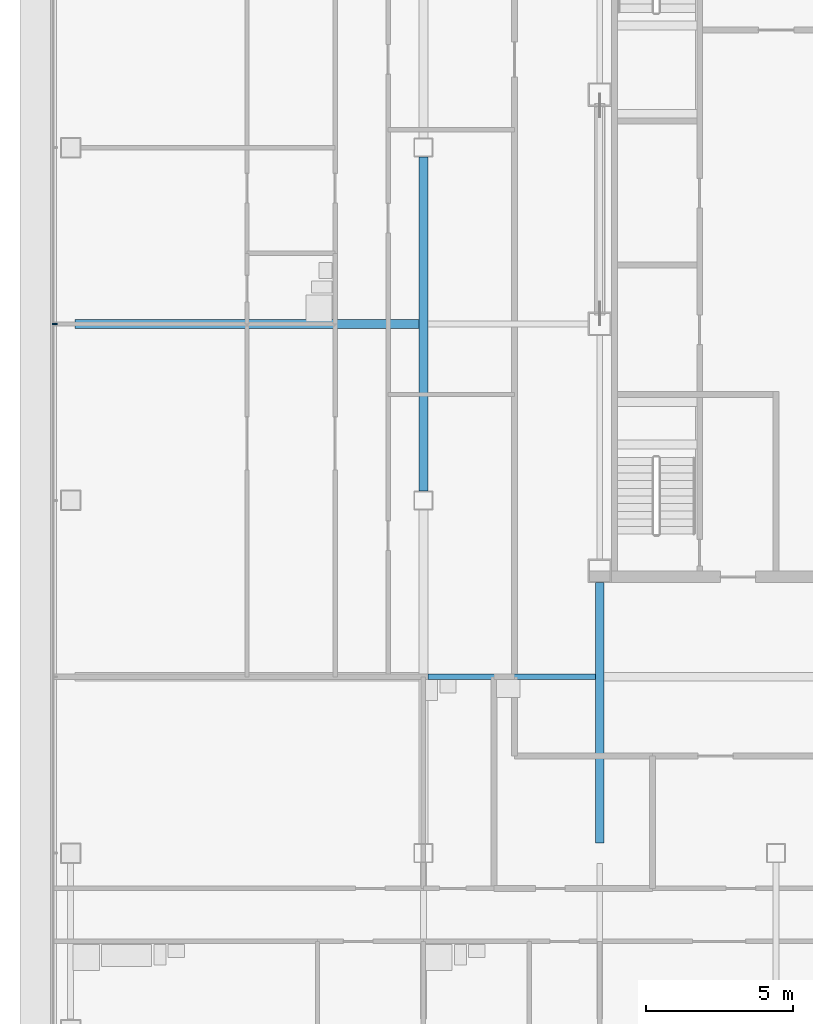
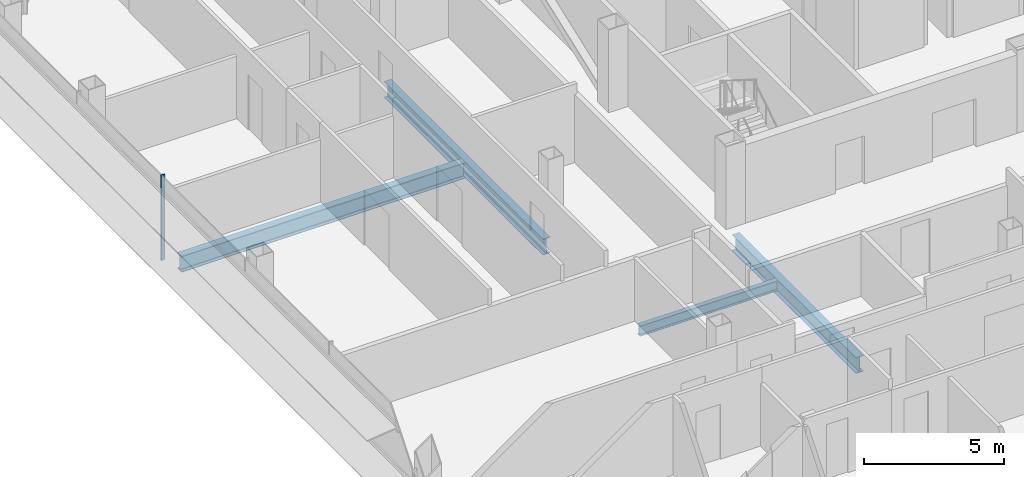
# One storey, part 6 of 27: 4 beams, 1 member, 1 element without a shape of its own.
"""IFC4 building model written with IfcOpenShell, lengths in metres."""

from ifc_helpers import new_model, si_unit, direction, frame, origin, origin_2d, place, context, subcontext, project, spatial, rectangle, i_section, extrude, material, material_profile, profile_set, type_object, element, aggregate, save


model = new_model("IFC4")

# Units and contexts
model_context = context("Model", 3, precision=1e-05, world=origin(), true_north=direction((0.0, 1.0)))
body_context = subcontext(model_context, "Body", "Model", "MODEL_VIEW")
ifc_project = project(units=[si_unit("LENGTHUNIT", "METRE"), si_unit("AREAUNIT", "SQUARE_METRE"), si_unit("VOLUMEUNIT", "CUBIC_METRE"), si_unit("PLANEANGLEUNIT", "RADIAN"), si_unit("MASSUNIT", "GRAM", prefix="KILO")], contexts=[model_context])

# Site, building, storey
site_placement = place(None, origin())
site = spatial("IfcSite", under=ifc_project, at=site_placement, CompositionType="ELEMENT")
building_placement = place(site_placement, origin())
building = spatial("IfcBuilding", under=site, at=building_placement, Name="Sorahane Residences", CompositionType="ELEMENT")
storey_placement = place(building_placement, frame((0.0, 0.0, 192.0)))
storey = spatial("IfcBuildingStorey", under=building, at=storey_placement, Name="L44", CompositionType="ELEMENT", Elevation=192.0)

# Curtain wall, member
ifc_material_1 = material(Name="Dark low-e glass and black anodised aluminium", Category="aluminium")
curtain_wall_type = type_object("IfcCurtainWallType", Name="Curtain wall CW-1 Typical unitised wall", PredefinedType="NOTDEFINED", material=ifc_material_1)
curtain_wall_placement = place(storey_placement, origin())
curtain_wall = element("IfcCurtainWall", 1, at=curtain_wall_placement, inside=storey, type_object=curtain_wall_type, Name="CW-1 curtain wall L44 W1", PredefinedType="NOTDEFINED")
ifc_material_2 = material(Name="Black anodised aluminium", Category="aluminium")
ifc_material_profile_1 = material_profile(ifc_material_2, rectangle(XDim=0.159912109375, YDim=0.050048828125, at=origin_2d()), Name="Curtain wall mullion CW-1 black anodised aluminium 50x160")
ifc_profile_set_1 = profile_set([ifc_material_profile_1], Name="Black anodised aluminium")
member_type = type_object("IfcMemberType", Name="Curtain wall mullion CW-1 black anodised aluminium 50x160", PredefinedType="MULLION", material=ifc_profile_set_1)
member_placement = place(storey_placement, frame((-12.5400390625, 30.0, -0.300048828125), z_axis=(0.0, 0.0, 1.0), x_axis=(-1.0, 0.0, 0.0)))
member = element("IfcMember", 2, at=member_placement, type_object=member_type, Name="CW-1 mullion L44 W1.3", PredefinedType="MULLION", context=body_context, shape_type="SweptSolid", body=[
    extrude(rectangle(XDim=0.159912109375, YDim=0.050048828125, at=origin_2d()), origin(), (0.0, 0.0, 1.0), 3.719970703125),
])
aggregate(curtain_wall, [member])

# Beams
ifc_material_3 = material(Name="Steel Q355B", Category="steel")
ifc_material_profile_2 = material_profile(ifc_material_3, i_section(OverallWidth=0.199951171875, OverallDepth=0.449951171875, WebThickness=0.009033203125, FlangeThickness=0.013916015625, FilletRadius=0.02001953125, at=origin_2d()), Name="HN 450x200x9x14")
ifc_profile_set_2 = profile_set([ifc_material_profile_2], Name="Steel Q355B")
beam_type_1 = type_object("IfcBeamType", Name="Steel floor beam HN 450x200x9x14 Q355B", PredefinedType="BEAM", material=ifc_profile_set_2)
beam_1_placement = place(storey_placement, frame((0.14990234375, 18.0, -0.52490234375), z_axis=(1.0, 0.0, 0.0), x_axis=(0.0, 1.0, 0.0)))
element("IfcBeam", 3, at=beam_1_placement, inside=storey, type_object=beam_type_1, Name="Beam L44 057", PredefinedType="BEAM", context=body_context, shape_type="SweptSolid", body=[
    extrude(i_section(OverallWidth=0.199951171875, OverallDepth=0.449951171875, WebThickness=0.009033203125, FlangeThickness=0.013916015625, FilletRadius=0.02001953125, at=origin_2d()), origin(), (0.0, 0.0, 1.0), 5.7001953125),
])
ifc_material_4 = material(Name="Steel Q355B", Category="steel")
ifc_material_profile_3 = material_profile(ifc_material_4, i_section(OverallWidth=0.300048828125, OverallDepth=0.699951171875, WebThickness=0.012939453125, FlangeThickness=0.02392578125, FilletRadius=0.028076171875, at=origin_2d()), Name="HN 700x300x13x24")
ifc_profile_set_3 = profile_set([ifc_material_profile_3], Name="Steel Q355B")
beam_type_2 = type_object("IfcBeamType", Name="Steel floor beam HN 700x300x13x24 Q355B", PredefinedType="BEAM", material=ifc_profile_set_3)
beam_2_placement = place(storey_placement, frame((0.0, 24.324951171875, -0.64990234375), z_axis=(0.0, 1.0, 0.0), x_axis=(-1.0, 0.0, 0.0)))
element("IfcBeam", 4, at=beam_2_placement, inside=storey, type_object=beam_type_2, Name="Beam L44 004", PredefinedType="BEAM", context=body_context, shape_type="SweptSolid", body=[
    extrude(i_section(OverallWidth=0.300048828125, OverallDepth=0.699951171875, WebThickness=0.012939453125, FlangeThickness=0.02392578125, FilletRadius=0.028076171875, at=origin_2d()), origin(), (0.0, 0.0, 1.0), 11.35009765625),
])
beam_3_placement = place(storey_placement, frame((6.0, 12.35009765625, -0.64990234375), z_axis=(0.0, 1.0, 0.0), x_axis=(-1.0, 0.0, 0.0)))
element("IfcBeam", 5, at=beam_3_placement, inside=storey, type_object=beam_type_2, Name="Beam L44 008", PredefinedType="BEAM", context=body_context, shape_type="SweptSolid", body=[
    extrude(i_section(OverallWidth=0.300048828125, OverallDepth=0.699951171875, WebThickness=0.012939453125, FlangeThickness=0.02392578125, FilletRadius=0.028076171875, at=origin_2d()), origin(), (0.0, 0.0, 1.0), 8.849853515625),
])
beam_4_placement = place(storey_placement, frame((-11.85009765625, 30.0, -0.64990234375), z_axis=(1.0, 0.0, 0.0), x_axis=(0.0, 1.0, 0.0)))
element("IfcBeam", 6, at=beam_4_placement, inside=storey, type_object=beam_type_2, Name="Beam L44 063", PredefinedType="BEAM", context=body_context, shape_type="SweptSolid", body=[
    extrude(i_section(OverallWidth=0.300048828125, OverallDepth=0.699951171875, WebThickness=0.012939453125, FlangeThickness=0.02392578125, FilletRadius=0.028076171875, at=origin_2d()), origin(), (0.0, 0.0, 1.0), 11.7001953125),
])

save(model, "model.ifc")
